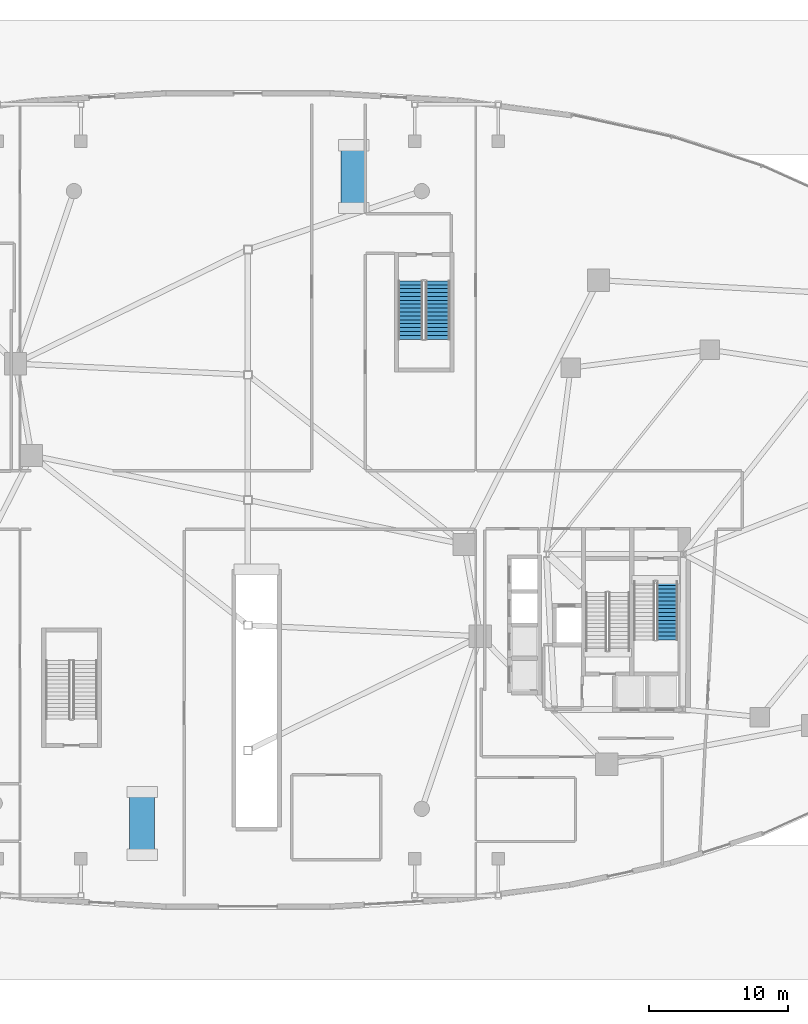
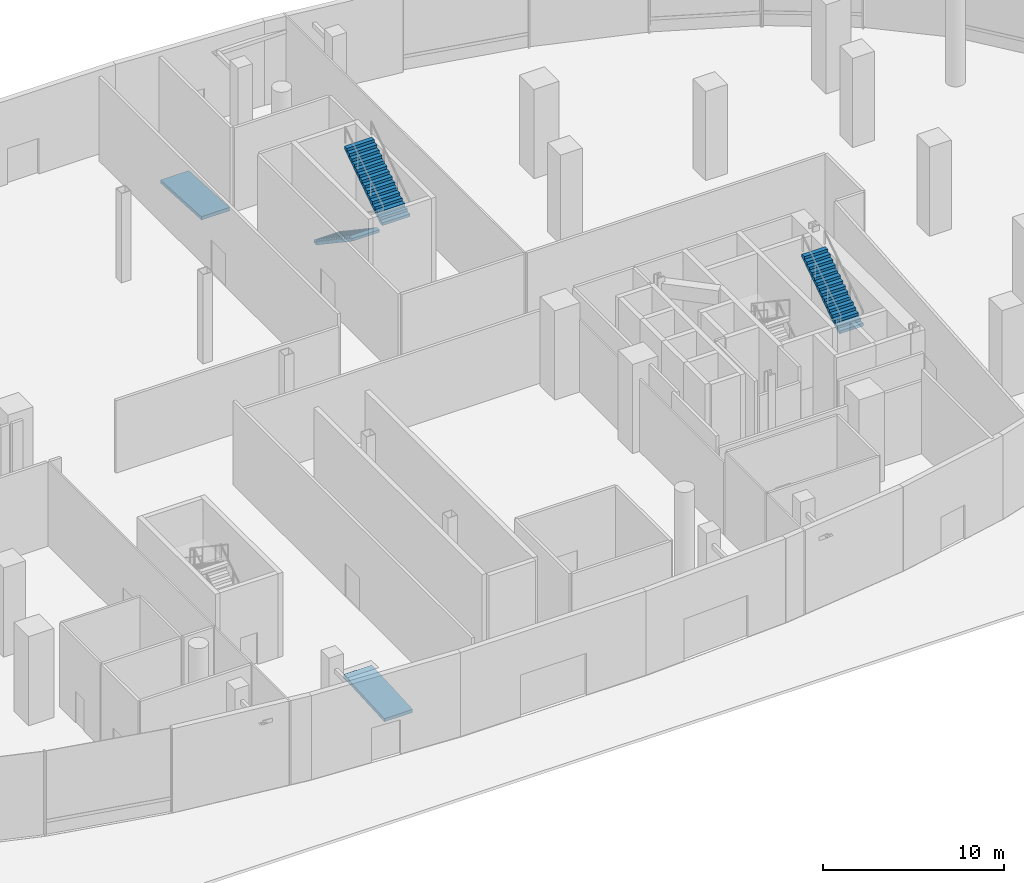
# One storey, part 17 of 20: 3 stair flights, 2 ramp flights, 4 elements without a shape of their own.
"""IFC4 building model written with IfcOpenShell, lengths in metres."""

from ifc_helpers import new_model, si_unit, direction, frame, origin, place, context, subcontext, project, spatial, polyline, outline, extrude, material, layer, layer_set, type_object, element, aggregate, save


model = new_model("IFC4")

# Units and contexts
model_context = context("Model", 3, precision=1e-05, world=origin(), true_north=direction((0.0, 1.0)))
body_context = subcontext(model_context, "Body", "Model", "MODEL_VIEW")
ifc_project = project(units=[si_unit("LENGTHUNIT", "METRE"), si_unit("AREAUNIT", "SQUARE_METRE"), si_unit("VOLUMEUNIT", "CUBIC_METRE"), si_unit("PLANEANGLEUNIT", "RADIAN"), si_unit("MASSUNIT", "GRAM", prefix="KILO"), si_unit("THERMODYNAMICTEMPERATUREUNIT", "KELVIN"), si_unit("POWERUNIT", "WATT")], contexts=[model_context])

# Site, building, storey
site_placement = place(None, origin())
site = spatial("IfcSite", under=ifc_project, at=site_placement, CompositionType="ELEMENT")
building_placement = place(site_placement, origin())
building = spatial("IfcBuilding", under=site, at=building_placement, Name="Cundina Bronze Exchange", CompositionType="ELEMENT")
storey_placement = place(building_placement, origin())
storey = spatial("IfcBuildingStorey", under=building, at=storey_placement, Name="L00", CompositionType="ELEMENT", Elevation=0.0)

# Stair, stair flights
ifc_material = material(Name="Concrete C40/50", Category="concrete")
stair_type_1 = type_object("IfcStairType", Name="STR-CON-600", PredefinedType="STRAIGHT_RUN_STAIR", material=ifc_material)
stair_1_placement = place(storey_placement, origin())
stair_1 = element("IfcStair", 1, at=stair_1_placement, inside=storey, type_object=stair_type_1, Name="L00 Concourse Exchange Stair E", PredefinedType="HALF_TURN_STAIR")
stair_flight_type_1 = type_object("IfcStairFlightType", Name="FLG-CON-300", PredefinedType="STRAIGHT", material=ifc_material)
stair_flight_1_placement = place(storey_placement, frame((11.695068359375, 15.75, 0.0), z_axis=(0.0, 0.0, 1.0), x_axis=(0.0, -1.0, 0.0)))
stair_flight_1 = element("IfcStairFlight", 2, at=stair_flight_1_placement, type_object=stair_flight_type_1, Name="ST-PE flight 1", NumberOfRisers=16, NumberOfTreads=15, PredefinedType="STRAIGHT", RiserHeight=0.1875, TreadLength=0.28, context=body_context, shape_type="SweptSolid", body=[
    extrude(outline(polyline([(0.0, 0.0), (0.0, 0.1875), (0.280029296875, 0.1875), (0.280029296875, 0.375), (0.56005859375, 0.375), (0.56005859375, 0.5625), (0.840087890625, 0.5625), (0.840087890625, 0.75), (1.1201171875, 0.75), (1.1201171875, 0.9375), (1.39990234375, 0.9375), (1.39990234375, 1.125), (1.679931640625, 1.125), (1.679931640625, 1.3125), (1.9599609375, 1.3125), (1.9599609375, 1.5), (2.239990234375, 1.5), (2.239990234375, 1.6875), (2.52001953125, 1.6875), (2.52001953125, 1.875), (2.800048828125, 1.875), (2.800048828125, 2.0625), (3.080078125, 2.0625), (3.080078125, 2.25), (3.360107421875, 2.25), (3.360107421875, 2.4375), (3.639892578125, 2.4375), (3.639892578125, 2.625), (3.919921875, 2.625), (3.919921875, 2.8125), (4.199951171875, 2.8125), (4.199951171875, 3.0), (4.199951171875, 2.632080078125), (0.26953125, 0.0), (0.0, 0.0)])), frame((0.0, 0.875, 0.0), z_axis=(0.0, -1.0, 0.0), x_axis=(1.0, 0.0, 0.0)), (0.0, 0.0, 1.0), 1.75),
])
stair_flight_2_placement = place(storey_placement, frame((13.64501953125, 11.550048828125, 3.0), z_axis=(0.0, 0.0, 1.0), x_axis=(0.0, 1.0, 0.0)))
stair_flight_2 = element("IfcStairFlight", 3, at=stair_flight_2_placement, type_object=stair_flight_type_1, Name="ST-PE flight 2", NumberOfRisers=16, NumberOfTreads=15, PredefinedType="STRAIGHT", RiserHeight=0.1875, TreadLength=0.28, context=body_context, shape_type="SweptSolid", body=[
    extrude(outline(polyline([(0.0, 0.0), (0.0, 0.1875), (0.280029296875, 0.1875), (0.280029296875, 0.375), (0.56005859375, 0.375), (0.56005859375, 0.5625), (0.840087890625, 0.5625), (0.840087890625, 0.75), (1.1201171875, 0.75), (1.1201171875, 0.9375), (1.39990234375, 0.9375), (1.39990234375, 1.125), (1.679931640625, 1.125), (1.679931640625, 1.3125), (1.9599609375, 1.3125), (1.9599609375, 1.5), (2.239990234375, 1.5), (2.239990234375, 1.6875), (2.52001953125, 1.6875), (2.52001953125, 1.875), (2.800048828125, 1.875), (2.800048828125, 2.0625), (3.080078125, 2.0625), (3.080078125, 2.25), (3.360107421875, 2.25), (3.360107421875, 2.4375), (3.639892578125, 2.4375), (3.639892578125, 2.625), (3.919921875, 2.625), (3.919921875, 2.8125), (4.199951171875, 2.8125), (4.199951171875, 3.0), (4.199951171875, 2.632080078125), (0.26953125, 0.0), (0.0, 0.0)])), frame((0.0, 0.875, 0.0), z_axis=(0.0, -1.0, 0.0), x_axis=(1.0, 0.0, 0.0)), (0.0, 0.0, 1.0), 1.75),
])
aggregate(stair_1, [stair_flight_1, stair_flight_2])

# Stair, stair flight
stair_type_2 = type_object("IfcStairType", Name="STR-POD-600", PredefinedType="HALF_TURN_STAIR", material=ifc_material)
stair_2_placement = place(storey_placement, origin())
stair_2 = element("IfcStair", 4, at=stair_2_placement, inside=storey, type_object=stair_type_2, Name="L00 Smokeproof Exit Stair E1", PredefinedType="HALF_TURN_STAIR")
stair_flight_type_2 = type_object("IfcStairFlightType", Name="FLG-POD-300", PredefinedType="STRAIGHT", material=ifc_material)
stair_flight_3_placement = place(storey_placement, frame((30.14990234375, -10.050048828125, 3.0), z_axis=(0.0, 0.0, 1.0), x_axis=(0.0, 1.0, 0.0)))
stair_flight_3 = element("IfcStairFlight", 5, at=stair_flight_3_placement, type_object=stair_flight_type_2, Name="ST-E1 flight 2", NumberOfRisers=16, NumberOfTreads=15, PredefinedType="STRAIGHT", RiserHeight=0.1875, TreadLength=0.28, context=body_context, shape_type="SweptSolid", body=[
    extrude(outline(polyline([(0.0, 0.0), (0.0, 0.1875), (0.280029296875, 0.1875), (0.280029296875, 0.375), (0.56005859375, 0.375), (0.56005859375, 0.5625), (0.840087890625, 0.5625), (0.840087890625, 0.75), (1.1201171875, 0.75), (1.1201171875, 0.9375), (1.39990234375, 0.9375), (1.39990234375, 1.125), (1.679931640625, 1.125), (1.679931640625, 1.3125), (1.9599609375, 1.3125), (1.9599609375, 1.5), (2.239990234375, 1.5), (2.239990234375, 1.6875), (2.52001953125, 1.6875), (2.52001953125, 1.875), (2.800048828125, 1.875), (2.800048828125, 2.0625), (3.080078125, 2.0625), (3.080078125, 2.25), (3.360107421875, 2.25), (3.360107421875, 2.4375), (3.639892578125, 2.4375), (3.639892578125, 2.625), (3.919921875, 2.625), (3.919921875, 2.8125), (4.199951171875, 2.8125), (4.199951171875, 3.0), (4.199951171875, 2.632080078125), (0.26953125, 0.0), (0.0, 0.0)])), frame((0.0, 0.75, 0.0), z_axis=(0.0, -1.0, 0.0), x_axis=(1.0, 0.0, 0.0)), (0.0, 0.0, 1.0), 1.5),
])
aggregate(stair_2, [stair_flight_3])

# Ramp, ramp flight
ramp_type = type_object("IfcRampType", Name="RMP-ACC-180", PredefinedType="STRAIGHT_RUN_RAMP", material=ifc_material)
ramp_1_placement = place(storey_placement, origin())
ramp_1 = element("IfcRamp", 6, at=ramp_1_placement, inside=storey, type_object=ramp_type, Name="Station Concourse South Accessible Ramp", PredefinedType="STRAIGHT_RUN_RAMP")
ifc_layer = layer(ifc_material, 0.219970703125, Name="Concrete C40/50", Category="concrete")
ifc_layer_set = layer_set([ifc_layer], Name="Concrete C40/50")
ramp_flight_type = type_object("IfcRampFlightType", Name="RMF-ACC-220", PredefinedType="STRAIGHT", material=ifc_layer_set)
ramp_flight_1_placement = place(storey_placement, frame((-8.5, -25.5, -0.25), z_axis=(0.0, -0.055470019623, 0.998460353205), x_axis=(1.0, 0.0, 0.0)))
ramp_flight_1 = element("IfcRampFlight", 7, at=ramp_flight_1_placement, type_object=ramp_flight_type, Name="Station Concourse South Accessible Ramp Solid Flight", PredefinedType="STRAIGHT", context=body_context, shape_type="SweptSolid", body=[
    extrude(outline(polyline([(0.0, 0.0), (1.800048828125, 0.0), (1.800048828125, 4.5069390943299865), (0.0, 4.5069390943299865), (0.0, 0.0)])), origin(), (0.0, 0.0, -1.0), 0.219970703125),
])
aggregate(ramp_1, [ramp_flight_1])

ramp_2_placement = place(storey_placement, origin())
ramp_2 = element("IfcRamp", 8, at=ramp_2_placement, inside=storey, type_object=ramp_type, Name="Station Concourse North Accessible Ramp", PredefinedType="STRAIGHT_RUN_RAMP")
ramp_flight_2_placement = place(storey_placement, frame((8.5, 25.5, -0.25), z_axis=(0.0, 0.055470019623, 0.998460353205), x_axis=(-1.0, 0.0, 0.0)))
ramp_flight_2 = element("IfcRampFlight", 9, at=ramp_flight_2_placement, type_object=ramp_flight_type, Name="Station Concourse North Accessible Ramp Solid Flight", PredefinedType="STRAIGHT", context=body_context, shape_type="SweptSolid", body=[
    extrude(outline(polyline([(0.0, 0.0), (1.800048828125, 0.0), (1.800048828125, 4.5069390943299865), (0.0, 4.5069390943299865), (0.0, 0.0)])), origin(), (0.0, 0.0, -1.0), 0.219970703125),
])
aggregate(ramp_2, [ramp_flight_2])

save(model, "model.ifc")
